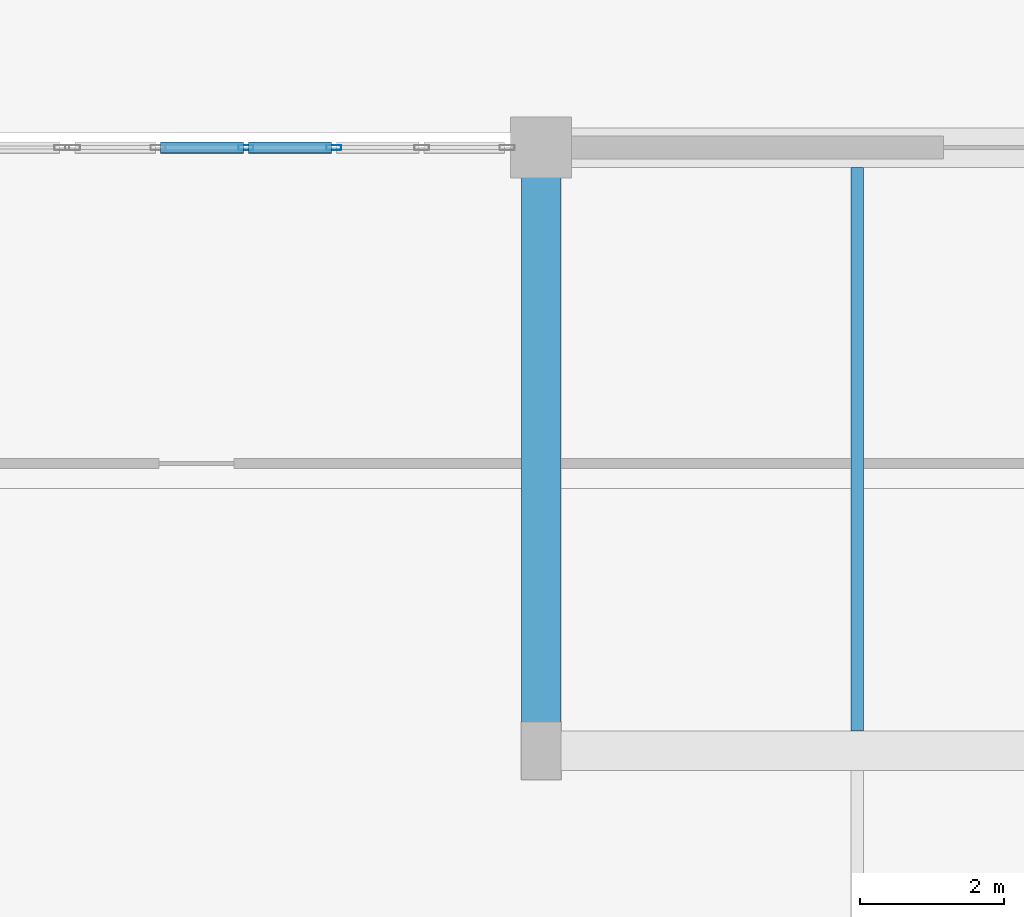
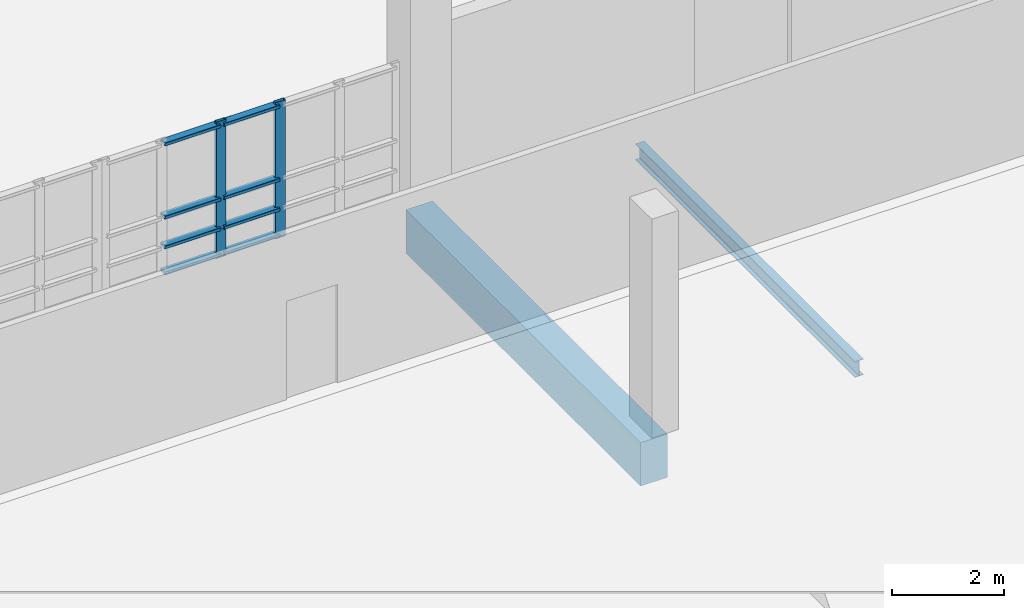
# One storey, part 37 of 97: 10 members, 2 beams, 1 element without a shape of its own.
"""IFC4 building model written with IfcOpenShell, lengths in metres."""

import ifcopenshell
import ifcopenshell.guid

model = None  # the IFC model being written
_history = None  # IfcOwnerHistory: only IFC2X3 demands one
_inside = {}  # id of a spatial element -> (the spatial element, [elements in it])
_under = {}  # id of a project, library or spatial element -> (it, [spatial elements below it])
_declared = {}  # id of a project -> (the project, [libraries it declares])
_typed = {}  # id of a type object -> (the type object, [elements of that type])
_made_of = {}  # id of a material, layer set ... -> (it, [elements and type objects made of it])


def new_model(schema):
    """Start an empty IFC model of exactly this schema.

    Asked for "IFC4X3", IfcOpenShell would pick the latest addendum, in which some entities
    have other attributes; the version numbers below select the first issue.
    IFC2X3 requires an IfcOwnerHistory on every rooted entity: one is made here for all.
    """
    global model, _history
    if schema == "IFC4X3":
        model = ifcopenshell.file(schema_version=(4, 3, 0, 0))
    else:
        model = ifcopenshell.file(schema=schema)
    _inside.clear()
    _under.clear()
    _declared.clear()
    _typed.clear()
    _made_of.clear()
    _history = None
    if model.schema == "IFC2X3":
        org = make("IfcOrganization", Name="unknown")
        user = make(
            "IfcPersonAndOrganization",
            ThePerson=make("IfcPerson", FamilyName="unknown"),
            TheOrganization=org,
        )
        app = make(
            "IfcApplication",
            ApplicationDeveloper=org,
            Version="unknown",
            ApplicationFullName="unknown",
            ApplicationIdentifier="unknown",
        )
        _history = make(
            "IfcOwnerHistory",
            OwningUser=user,
            OwningApplication=app,
            ChangeAction="ADDED",
            CreationDate=0,
        )
    return model


def make(cls, **values):
    """One entity of the class cls with the attributes given. An attribute that is None is left unset."""
    return model.create_entity(
        cls, **{name: value for name, value in values.items() if value is not None}
    )


def rooted(cls, **values):
    """An entity with a GlobalId (a new one), such as an element, a storey or a relation."""
    return make(cls, GlobalId=ifcopenshell.guid.new(), OwnerHistory=_history, **values)


def si_unit(unit_type, name, prefix=None):
    """IfcSIUnit, for example si_unit("LENGTHUNIT", "METRE", prefix="MILLI")."""
    return make("IfcSIUnit", UnitType=unit_type, Prefix=prefix, Name=name)


def assignment(units):
    """IfcUnitAssignment: the units of a project."""
    return None if units is None else make("IfcUnitAssignment", Units=units)


def point(xyz):
    """IfcCartesianPoint."""
    return None if xyz is None else make("IfcCartesianPoint", Coordinates=xyz)


def direction(xyz):
    """IfcDirection."""
    return None if xyz is None else make("IfcDirection", DirectionRatios=xyz)


def frame(location, z_axis=None, x_axis=None):
    """IfcAxis2Placement3D, a coordinate frame: its origin and axes. An axis left out is left unset."""
    return make(
        "IfcAxis2Placement3D",
        Location=point(location),
        Axis=direction(z_axis),
        RefDirection=direction(x_axis),
    )


def frame_2d(location, x_axis=None):
    """IfcAxis2Placement2D, a coordinate frame in the plane: its origin and x axis."""
    return make(
        "IfcAxis2Placement2D", Location=point(location), RefDirection=direction(x_axis)
    )


def origin():
    """The frame at (0, 0, 0) with its axes left unset."""
    return frame((0.0, 0.0, 0.0))


def origin_2d():
    """The frame at (0, 0) in the plane with its x axis left unset."""
    return frame_2d((0.0, 0.0))


def place(relative_to, where):
    """IfcLocalPlacement: puts the frame where relative to a parent placement (None: the world)."""
    return make(
        "IfcLocalPlacement", PlacementRelTo=relative_to, RelativePlacement=where
    )


def context(
    kind, dimensions, precision=None, world=None, true_north=None, identifier=None
):
    """IfcGeometricRepresentationContext, for example the 3D "Model" context."""
    return make(
        "IfcGeometricRepresentationContext",
        ContextIdentifier=identifier,
        ContextType=kind,
        CoordinateSpaceDimension=dimensions,
        Precision=precision,
        WorldCoordinateSystem=world,
        TrueNorth=true_north,
    )


def subcontext(parent, identifier, kind, view, scale=None):
    """IfcGeometricRepresentationSubContext, for example "Body" below "Model"."""
    return make(
        "IfcGeometricRepresentationSubContext",
        ContextIdentifier=identifier,
        ContextType=kind,
        ParentContext=parent,
        TargetScale=scale,
        TargetView=view,
    )


def project(units=None, contexts=None):
    """IfcProject with its units and contexts."""
    return rooted(
        "IfcProject",
        Name="project",
        RepresentationContexts=contexts,
        UnitsInContext=assignment(units),
    )


def spatial(cls, under=None, at=None, **own):
    """A site, building, storey or space (cls), placed at a placement, below another one or the project."""
    s = rooted(cls, ObjectPlacement=at, **own)
    if under is not None:
        _under.setdefault(under.id(), (under, []))[1].append(s)
    return s


def profile(cls, at=None, kind="AREA", **sizes):
    """A parametric profile (cls). Its sizes go by their IFC names, for example OverallWidth=200.0."""
    return make(cls, ProfileType=kind, Position=at, **sizes)


def rectangle(**sizes):
    """IfcRectangleProfileDef."""
    return profile("IfcRectangleProfileDef", **sizes)


def hollow_rectangle(**sizes):
    """IfcRectangleHollowProfileDef."""
    return profile("IfcRectangleHollowProfileDef", **sizes)


def i_section(**sizes):
    """IfcIShapeProfileDef."""
    return profile("IfcIShapeProfileDef", **sizes)


def extrude(swept, where, along, depth):
    """IfcExtrudedAreaSolid: the profile swept, set in the frame where, extruded along a direction by depth."""
    return make(
        "IfcExtrudedAreaSolid",
        SweptArea=swept,
        Position=where,
        ExtrudedDirection=direction(along),
        Depth=depth,
    )


def shape(context_of_items, identifier, shape_type, items):
    """IfcShapeRepresentation: the items that make up one representation, for example the "Body"."""
    return make(
        "IfcShapeRepresentation",
        ContextOfItems=context_of_items,
        RepresentationIdentifier=identifier,
        RepresentationType=shape_type,
        Items=items,
    )


def material(Name=None, Category=None):
    """IfcMaterial."""
    return make("IfcMaterial", Name=Name, Category=Category)


def layer(
    of_material, thickness, ventilated=None, Name=None, Category=None, Priority=None
):
    """IfcMaterialLayer: one layer of a wall or slab, of a material (None: an air gap)."""
    return make(
        "IfcMaterialLayer",
        Material=of_material,
        LayerThickness=thickness,
        IsVentilated=ventilated,
        Name=Name,
        Category=Category,
        Priority=Priority,
    )


def layer_set(layers, Name=None):
    """IfcMaterialLayerSet."""
    return make("IfcMaterialLayerSet", MaterialLayers=layers, LayerSetName=Name)


def material_profile(
    of_material, cross_section, Name=None, Category=None, Priority=None
):
    """IfcMaterialProfile: a cross section and its material."""
    return make(
        "IfcMaterialProfile",
        Name=Name,
        Material=of_material,
        Profile=cross_section,
        Priority=Priority,
        Category=Category,
    )


def profile_set(profiles, Name=None, composite=None):
    """IfcMaterialProfileSet."""
    return make(
        "IfcMaterialProfileSet",
        Name=Name,
        MaterialProfiles=profiles,
        CompositeProfile=composite,
    )


def made_of(thing, what):
    """Note that an element or type object is made of a material, layer set ...; save() writes the relation."""
    if what is not None:
        _made_of.setdefault(what.id(), (what, []))[1].append(thing)
    return thing


def type_object(cls, material=None, **own):
    """A type object (cls), such as IfcWallType, which elements share."""
    return made_of(rooted(cls, **own), material)


def element(
    cls,
    number,
    at=None,
    inside=None,
    cuts=None,
    type_object=None,
    material=None,
    context=None,
    identifier="Body",
    shape_type=None,
    held_by="IfcProductDefinitionShape",
    body=None,
    shapes=None,
    **own,
):
    """One element of the class cls, such as IfcWall. Its Tag is "e" and its number.

    at: its placement. inside: the storey or other place that contains it. cuts: it is an
    opening in that element (IfcRelVoidsElement). A single representation is given by context,
    identifier, shape_type and body (its items); several are given by shapes. held_by: the class
    of the entity that holds the representations. save() writes the other relations.
    """
    e = rooted(cls, Tag="e%d" % number, ObjectPlacement=at, **own)
    if body is not None:
        shapes = [shape(context, identifier, shape_type, body)]
    if shapes is not None:
        e.Representation = make(held_by, Representations=shapes)
    if inside is not None:
        _inside.setdefault(inside.id(), (inside, []))[1].append(e)
    if cuts is not None:
        rooted(
            "IfcRelVoidsElement", RelatingBuildingElement=cuts, RelatedOpeningElement=e
        )
    if type_object is not None:
        _typed.setdefault(type_object.id(), (type_object, []))[1].append(e)
    return made_of(e, material)


def aggregate(whole, parts):
    """IfcRelAggregates: a whole, such as a stair, and the parts it consists of."""
    return rooted("IfcRelAggregates", RelatingObject=whole, RelatedObjects=parts)


def save(model, path):
    """Write the relations noted so far, then the file.

    IfcRelAggregates (storeys below a building ...), IfcRelContainedInSpatialStructure (elements
    in a storey), IfcRelDefinesByType, IfcRelAssociatesMaterial and IfcRelDeclares: one each for
    every whole, place, type object, material and project.
    """
    for whole, parts in _under.values():
        aggregate(whole, parts)
    for where, things in _inside.values():
        rooted(
            "IfcRelContainedInSpatialStructure",
            RelatedElements=things,
            RelatingStructure=where,
        )
    for kind, things in _typed.values():
        rooted("IfcRelDefinesByType", RelatedObjects=things, RelatingType=kind)
    for what, things in _made_of.values():
        rooted("IfcRelAssociatesMaterial", RelatedObjects=things, RelatingMaterial=what)
    for by, libraries in _declared.values():
        rooted("IfcRelDeclares", RelatingContext=by, RelatedDefinitions=libraries)
    model.write(path)


model = new_model("IFC4")

# Units and contexts
model_context = context("Model", 3, precision=1e-05, world=origin(), true_north=direction((0.0, 1.0)))
body_context = subcontext(model_context, "Body", "Model", "MODEL_VIEW")
ifc_project = project(units=[si_unit("LENGTHUNIT", "METRE"), si_unit("AREAUNIT", "SQUARE_METRE"), si_unit("VOLUMEUNIT", "CUBIC_METRE"), si_unit("PLANEANGLEUNIT", "RADIAN"), si_unit("MASSUNIT", "GRAM", prefix="KILO")], contexts=[model_context])

# Site, building, storey
site_placement = place(None, origin())
site = spatial("IfcSite", under=ifc_project, at=site_placement, CompositionType="ELEMENT")
building_placement = place(site_placement, origin())
building = spatial("IfcBuilding", under=site, at=building_placement, Name="Kisaragi Civic Commons", CompositionType="ELEMENT")
storey_placement = place(building_placement, origin())
storey = spatial("IfcBuildingStorey", under=building, at=storey_placement, Name="L00", CompositionType="ELEMENT", Elevation=0.0)

# Curtain wall, members
ifc_material_1 = material(Name="Thermally broken anodized aluminium and low-E double glazing", Category="aluminium")
ifc_layer = layer(ifc_material_1, 0.2099609375, Name="Thermally broken anodized aluminium and low-E double glazing", Category="aluminium")
ifc_layer_set = layer_set([ifc_layer], Name="Thermally broken anodized aluminium and low-E double glazing")
curtain_wall_type = type_object("IfcCurtainWallType", Name="CW-02", PredefinedType="NOTDEFINED", material=ifc_layer_set)
curtain_wall_placement = place(storey_placement, origin())
curtain_wall = element("IfcCurtainWall", 1, at=curtain_wall_placement, inside=storey, type_object=curtain_wall_type, Name="L00 curtain wall CW-02 CW-V3-L00-010", PredefinedType="NOTDEFINED")
ifc_material_profile_1 = material_profile(ifc_material_1, hollow_rectangle(XDim=0.070068359375, YDim=0.2099609375, WallThickness=0.0048828125, InnerFilletRadius=0.0048828125, OuterFilletRadius=0.010009765625, at=origin_2d()), Name="CWM-70x210x5", Category="aluminium")
ifc_profile_set_1 = profile_set([ifc_material_profile_1], Name="Thermally broken anodized aluminium and low-E double glazing")
member_type_1 = type_object("IfcMemberType", Name="CWM-03", PredefinedType="MULLION", material=ifc_profile_set_1)
member_1_placement = place(storey_placement, frame((142.2880859375, 25.199951171875, 0.0), z_axis=(0.0, 0.0, 1.0), x_axis=(0.0, 1.0, 0.0)))
member_1 = element("IfcMember", 2, at=member_1_placement, type_object=member_type_1, Name="CW-02 mullion 3", PredefinedType="MULLION", context=body_context, shape_type="SweptSolid", body=[
    extrude(hollow_rectangle(XDim=0.070068359375, YDim=0.2099609375, WallThickness=0.0048828125, InnerFilletRadius=0.0048828125, OuterFilletRadius=0.010009765625, at=origin_2d()), origin(), (0.0, 0.0, 1.0), 2.97998046875),
])
member_2_placement = place(storey_placement, frame((143.511962890625, 25.199951171875, 0.0), z_axis=(0.0, 0.0, 1.0), x_axis=(0.0, 1.0, 0.0)))
member_2 = element("IfcMember", 3, at=member_2_placement, type_object=member_type_1, Name="CW-02 mullion 4", PredefinedType="MULLION", context=body_context, shape_type="SweptSolid", body=[
    extrude(hollow_rectangle(XDim=0.070068359375, YDim=0.2099609375, WallThickness=0.0048828125, InnerFilletRadius=0.0048828125, OuterFilletRadius=0.010009765625, at=origin_2d()), origin(), (0.0, 0.0, 1.0), 2.97998046875),
])
ifc_material_profile_2 = material_profile(ifc_material_1, hollow_rectangle(XDim=0.159912109375, YDim=0.070068359375, WallThickness=0.0048828125, InnerFilletRadius=0.0048828125, OuterFilletRadius=0.010009765625, at=origin_2d()), Name="CWT-70x160x5", Category="aluminium")
ifc_profile_set_2 = profile_set([ifc_material_profile_2], Name="Thermally broken anodized aluminium and low-E double glazing")
member_type_2 = type_object("IfcMemberType", Name="CWT-03", PredefinedType="USERDEFINED", material=ifc_profile_set_2)
member_3_placement = place(storey_placement, frame((141.09912109375, 25.199951171875, 0.080078125), z_axis=(1.0, 0.0, 0.0), x_axis=(0.0, 1.0, 0.0)))
member_3 = element("IfcMember", 4, at=member_3_placement, type_object=member_type_2, Name="CW-02 transom 2.1", ObjectType="TRANSOM", PredefinedType="USERDEFINED", context=body_context, shape_type="SweptSolid", body=[
    extrude(hollow_rectangle(XDim=0.159912109375, YDim=0.070068359375, WallThickness=0.0048828125, InnerFilletRadius=0.0048828125, OuterFilletRadius=0.010009765625, at=origin_2d()), origin(), (0.0, 0.0, 1.0), 1.15380859375),
])
member_4_placement = place(storey_placement, frame((141.09912109375, 25.199951171875, 0.64990234375), z_axis=(1.0, 0.0, 0.0), x_axis=(0.0, 1.0, 0.0)))
member_4 = element("IfcMember", 5, at=member_4_placement, type_object=member_type_2, Name="CW-02 transom 2.2", ObjectType="TRANSOM", PredefinedType="USERDEFINED", context=body_context, shape_type="SweptSolid", body=[
    extrude(hollow_rectangle(XDim=0.159912109375, YDim=0.070068359375, WallThickness=0.0048828125, InnerFilletRadius=0.0048828125, OuterFilletRadius=0.010009765625, at=origin_2d()), origin(), (0.0, 0.0, 1.0), 1.15380859375),
])
member_5_placement = place(storey_placement, frame((141.09912109375, 25.199951171875, 1.300048828125), z_axis=(1.0, 0.0, 0.0), x_axis=(0.0, 1.0, 0.0)))
member_5 = element("IfcMember", 6, at=member_5_placement, type_object=member_type_2, Name="CW-02 transom 2.3", ObjectType="TRANSOM", PredefinedType="USERDEFINED", context=body_context, shape_type="SweptSolid", body=[
    extrude(hollow_rectangle(XDim=0.159912109375, YDim=0.070068359375, WallThickness=0.0048828125, InnerFilletRadius=0.0048828125, OuterFilletRadius=0.010009765625, at=origin_2d()), origin(), (0.0, 0.0, 1.0), 1.15380859375),
])
member_6_placement = place(storey_placement, frame((141.09912109375, 25.199951171875, 2.89990234375), z_axis=(1.0, 0.0, 0.0), x_axis=(0.0, 1.0, 0.0)))
member_6 = element("IfcMember", 7, at=member_6_placement, type_object=member_type_2, Name="CW-02 transom 2.4", ObjectType="TRANSOM", PredefinedType="USERDEFINED", context=body_context, shape_type="SweptSolid", body=[
    extrude(hollow_rectangle(XDim=0.159912109375, YDim=0.070068359375, WallThickness=0.0048828125, InnerFilletRadius=0.0048828125, OuterFilletRadius=0.010009765625, at=origin_2d()), origin(), (0.0, 0.0, 1.0), 1.15380859375),
])
member_7_placement = place(storey_placement, frame((142.322998046875, 25.199951171875, 0.080078125), z_axis=(1.0, 0.0, 0.0), x_axis=(0.0, 1.0, 0.0)))
member_7 = element("IfcMember", 8, at=member_7_placement, type_object=member_type_2, Name="CW-02 transom 3.1", ObjectType="TRANSOM", PredefinedType="USERDEFINED", context=body_context, shape_type="SweptSolid", body=[
    extrude(hollow_rectangle(XDim=0.159912109375, YDim=0.070068359375, WallThickness=0.0048828125, InnerFilletRadius=0.0048828125, OuterFilletRadius=0.010009765625, at=origin_2d()), origin(), (0.0, 0.0, 1.0), 1.154052734375),
])
member_8_placement = place(storey_placement, frame((142.322998046875, 25.199951171875, 0.64990234375), z_axis=(1.0, 0.0, 0.0), x_axis=(0.0, 1.0, 0.0)))
member_8 = element("IfcMember", 9, at=member_8_placement, type_object=member_type_2, Name="CW-02 transom 3.2", ObjectType="TRANSOM", PredefinedType="USERDEFINED", context=body_context, shape_type="SweptSolid", body=[
    extrude(hollow_rectangle(XDim=0.159912109375, YDim=0.070068359375, WallThickness=0.0048828125, InnerFilletRadius=0.0048828125, OuterFilletRadius=0.010009765625, at=origin_2d()), origin(), (0.0, 0.0, 1.0), 1.154052734375),
])
member_9_placement = place(storey_placement, frame((142.322998046875, 25.199951171875, 1.300048828125), z_axis=(1.0, 0.0, 0.0), x_axis=(0.0, 1.0, 0.0)))
member_9 = element("IfcMember", 10, at=member_9_placement, type_object=member_type_2, Name="CW-02 transom 3.3", ObjectType="TRANSOM", PredefinedType="USERDEFINED", context=body_context, shape_type="SweptSolid", body=[
    extrude(hollow_rectangle(XDim=0.159912109375, YDim=0.070068359375, WallThickness=0.0048828125, InnerFilletRadius=0.0048828125, OuterFilletRadius=0.010009765625, at=origin_2d()), origin(), (0.0, 0.0, 1.0), 1.154052734375),
])
member_10_placement = place(storey_placement, frame((142.322998046875, 25.199951171875, 2.89990234375), z_axis=(1.0, 0.0, 0.0), x_axis=(0.0, 1.0, 0.0)))
member_10 = element("IfcMember", 11, at=member_10_placement, type_object=member_type_2, Name="CW-02 transom 3.4", ObjectType="TRANSOM", PredefinedType="USERDEFINED", context=body_context, shape_type="SweptSolid", body=[
    extrude(hollow_rectangle(XDim=0.159912109375, YDim=0.070068359375, WallThickness=0.0048828125, InnerFilletRadius=0.0048828125, OuterFilletRadius=0.010009765625, at=origin_2d()), origin(), (0.0, 0.0, 1.0), 1.154052734375),
])
aggregate(curtain_wall, [member_1, member_2, member_3, member_4, member_5, member_6, member_7, member_8, member_9, member_10])

# Beams
ifc_material_2 = material(Name="Concrete Fc36", Category="concrete")
ifc_material_profile_3 = material_profile(ifc_material_2, rectangle(XDim=0.550048828125, YDim=0.949951171875, at=origin_2d()), Name="RC-550x950", Category="concrete")
ifc_profile_set_3 = profile_set([ifc_material_profile_3], Name="Concrete Fc36")
beam_type_1 = type_object("IfcBeamType", Name="G-01", PredefinedType="BEAM", material=ifc_profile_set_3)
beam_1_placement = place(storey_placement, frame((146.39990234375, 16.800048828125, -0.800048828125), z_axis=(0.0, 1.0, 0.0), x_axis=(-1.0, 0.0, 0.0)))
element("IfcBeam", 12, at=beam_1_placement, inside=storey, type_object=beam_type_1, Name="L00 girder G-01 103", PredefinedType="BEAM", context=body_context, shape_type="SweptSolid", body=[
    extrude(rectangle(XDim=0.550048828125, YDim=0.949951171875, at=origin_2d()), origin(), (0.0, 0.0, 1.0), 8.39990234375),
])
ifc_material_3 = material(Name="Steel SN400 (SN400B)", Category="steel")
ifc_material_profile_4 = material_profile(ifc_material_3, i_section(OverallWidth=0.175048828125, OverallDepth=0.35009765625, WebThickness=0.007080078125, FlangeThickness=0.010986328125, FilletRadius=0.012939453125, at=origin_2d()), Name="H-350x175x7x11", Category="steel")
ifc_profile_set_4 = profile_set([ifc_material_profile_4], Name="Steel SN400 (SN400B)")
beam_type_2 = type_object("IfcBeamType", Name="J-02", PredefinedType="JOIST", material=ifc_profile_set_4)
beam_2_placement = place(storey_placement, frame((150.800048828125, 17.074951171875, -0.5), z_axis=(0.0, 1.0, 0.0), x_axis=(-1.0, 0.0, 0.0)))
element("IfcBeam", 13, at=beam_2_placement, inside=storey, type_object=beam_type_2, Name="L00 secondary steel joist J-02 28", PredefinedType="JOIST", context=body_context, shape_type="SweptSolid", body=[
    extrude(i_section(OverallWidth=0.175048828125, OverallDepth=0.35009765625, WebThickness=0.007080078125, FlangeThickness=0.010986328125, FilletRadius=0.012939453125, at=origin_2d()), origin(), (0.0, 0.0, 1.0), 7.85009765625),
])

save(model, "model.ifc")
